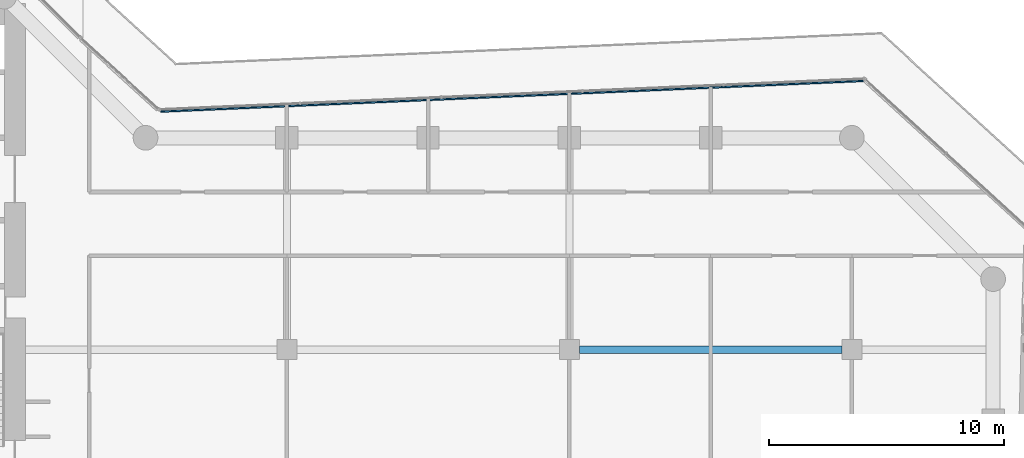
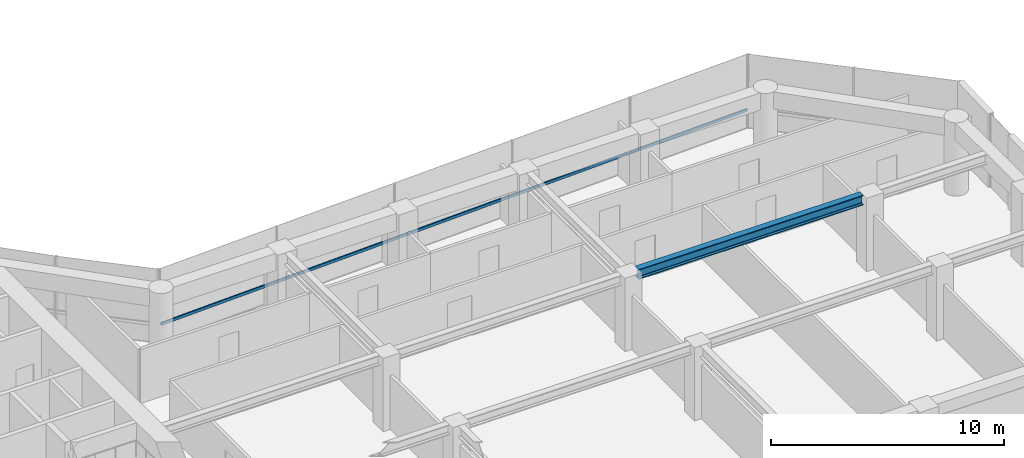
# One storey, part 12 of 29: 1 beam, 1 member, 1 element without a shape of its own.
"""IFC4 building model written with IfcOpenShell, lengths in metres."""

from ifc_helpers import new_model, si_unit, direction, frame, origin, origin_2d, place, context, subcontext, project, spatial, rectangle, i_section, extrude, material, layer, layer_set, material_profile, profile_set, type_object, element, aggregate, save


model = new_model("IFC4")

# Units and contexts
model_context = context("Model", 3, precision=1e-05, world=origin(), true_north=direction((0.0, 1.0)))
body_context = subcontext(model_context, "Body", "Model", "MODEL_VIEW")
ifc_project = project(units=[si_unit("LENGTHUNIT", "METRE"), si_unit("AREAUNIT", "SQUARE_METRE"), si_unit("VOLUMEUNIT", "CUBIC_METRE"), si_unit("PLANEANGLEUNIT", "RADIAN"), si_unit("MASSUNIT", "GRAM", prefix="KILO")], contexts=[model_context])

# Site, building, storey
site_placement = place(None, origin())
site = spatial("IfcSite", under=ifc_project, at=site_placement, CompositionType="ELEMENT")
building_placement = place(site_placement, origin())
building = spatial("IfcBuilding", under=site, at=building_placement, Name="Welwitschia Terrace Campus", CompositionType="ELEMENT")
storey_placement = place(building_placement, frame((0.0, 0.0, 62.60009765625)))
storey = spatial("IfcBuildingStorey", under=building, at=storey_placement, Name="L14", CompositionType="ELEMENT", Elevation=62.60009765625)

# Beam
ifc_material_1 = material(Name="Steel S355", Category="steel")
ifc_material_profile_1 = material_profile(ifc_material_1, i_section(OverallWidth=0.305908203125, OverallDepth=0.52392578125, WebThickness=0.02099609375, FlangeThickness=0.0400390625, FilletRadius=0.027099609375, at=origin_2d()))
ifc_profile_set_1 = profile_set([ifc_material_profile_1], Name="Steel S355")
beam_type = type_object("IfcBeamType", Name="Interior girder HE 500 M", PredefinedType="BEAM", material=ifc_profile_set_1)
beam_placement = place(storey_placement, frame((48.425537109375, 11.0, 3.587890625), z_axis=(1.0, 0.0, 0.0), x_axis=(0.0, 1.0, 0.0)))
element("IfcBeam", 1, at=beam_placement, inside=storey, type_object=beam_type, Name="Girder GB2", PredefinedType="BEAM", context=body_context, shape_type="SweptSolid", body=[
    extrude(i_section(OverallWidth=0.305908203125, OverallDepth=0.52392578125, WebThickness=0.02099609375, FlangeThickness=0.0400390625, FilletRadius=0.027099609375, at=origin_2d()), origin(), (0.0, 0.0, 1.0), 11.14892578125),
])

# Curtain wall, member
ifc_material_2 = material(Name="Bronze anodised aluminium", Category="aluminium")
ifc_layer = layer(ifc_material_2, 0.1201171875)
ifc_layer_set = layer_set([ifc_layer], Name="Bronze anodised aluminium")
curtain_wall_type = type_object("IfcCurtainWallType", Name="Curtain wall CW2 tower 6000", PredefinedType="NOTDEFINED", material=ifc_layer_set)
curtain_wall_placement = place(storey_placement, origin())
curtain_wall = element("IfcCurtainWall", 2, at=curtain_wall_placement, inside=storey, type_object=curtain_wall_type, Name="CW L14.7.0", PredefinedType="NOTDEFINED")
ifc_material_3 = material(Name="Bronze anodised aluminium", Category="aluminium")
ifc_material_profile_2 = material_profile(ifc_material_3, rectangle(XDim=0.06005859375, YDim=0.14990234375, at=origin_2d()))
ifc_profile_set_2 = profile_set([ifc_material_profile_2], Name="Bronze anodised aluminium")
member_type = type_object("IfcMemberType", Name="Transom 60x150", PredefinedType="USERDEFINED", material=ifc_profile_set_2)
member_placement = place(storey_placement, frame((60.491455078125, 22.415283203125, 1.0), z_axis=(-0.999048403454, -0.043615221618, 0.0), x_axis=(0.043615221618, -0.999048403454, 0.0)))
member = element("IfcMember", 3, at=member_placement, type_object=member_type, Name="Transom L14.7.0", ObjectType="TRANSOM", PredefinedType="USERDEFINED", context=body_context, shape_type="SweptSolid", body=[
    extrude(rectangle(XDim=0.06005859375, YDim=0.14990234375, at=origin_2d()), origin(), (0.0, 0.0, 1.0), 29.8798828125),
])
aggregate(curtain_wall, [member])

save(model, "model.ifc")
